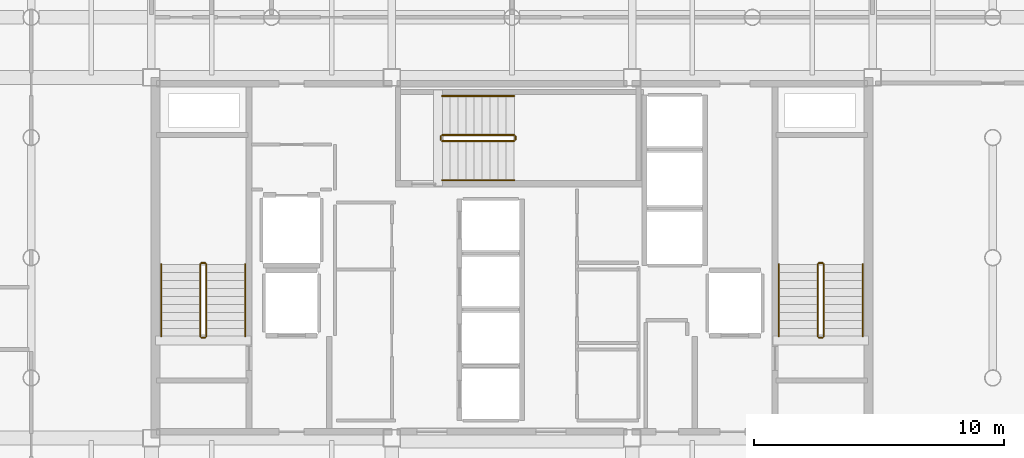
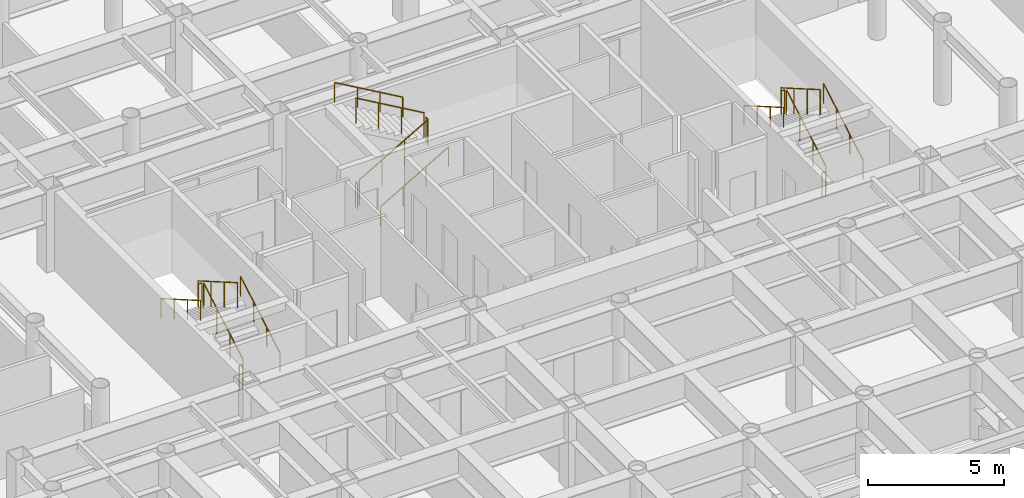
# One storey, part 24 of 24: 18 railings.
"""IFC4 building model written with IfcOpenShell, lengths in metres."""

import ifcopenshell
import ifcopenshell.guid

model = None  # the IFC model being written
_history = None  # IfcOwnerHistory: only IFC2X3 demands one
_inside = {}  # id of a spatial element -> (the spatial element, [elements in it])
_under = {}  # id of a project, library or spatial element -> (it, [spatial elements below it])
_declared = {}  # id of a project -> (the project, [libraries it declares])
_typed = {}  # id of a type object -> (the type object, [elements of that type])
_made_of = {}  # id of a material, layer set ... -> (it, [elements and type objects made of it])


def new_model(schema):
    """Start an empty IFC model of exactly this schema.

    Asked for "IFC4X3", IfcOpenShell would pick the latest addendum, in which some entities
    have other attributes; the version numbers below select the first issue.
    IFC2X3 requires an IfcOwnerHistory on every rooted entity: one is made here for all.
    """
    global model, _history
    if schema == "IFC4X3":
        model = ifcopenshell.file(schema_version=(4, 3, 0, 0))
    else:
        model = ifcopenshell.file(schema=schema)
    _inside.clear()
    _under.clear()
    _declared.clear()
    _typed.clear()
    _made_of.clear()
    _history = None
    if model.schema == "IFC2X3":
        org = make("IfcOrganization", Name="unknown")
        user = make(
            "IfcPersonAndOrganization",
            ThePerson=make("IfcPerson", FamilyName="unknown"),
            TheOrganization=org,
        )
        app = make(
            "IfcApplication",
            ApplicationDeveloper=org,
            Version="unknown",
            ApplicationFullName="unknown",
            ApplicationIdentifier="unknown",
        )
        _history = make(
            "IfcOwnerHistory",
            OwningUser=user,
            OwningApplication=app,
            ChangeAction="ADDED",
            CreationDate=0,
        )
    return model


def make(cls, **values):
    """One entity of the class cls with the attributes given. An attribute that is None is left unset."""
    return model.create_entity(
        cls, **{name: value for name, value in values.items() if value is not None}
    )


def rooted(cls, **values):
    """An entity with a GlobalId (a new one), such as an element, a storey or a relation."""
    return make(cls, GlobalId=ifcopenshell.guid.new(), OwnerHistory=_history, **values)


def si_unit(unit_type, name, prefix=None):
    """IfcSIUnit, for example si_unit("LENGTHUNIT", "METRE", prefix="MILLI")."""
    return make("IfcSIUnit", UnitType=unit_type, Prefix=prefix, Name=name)


def assignment(units):
    """IfcUnitAssignment: the units of a project."""
    return None if units is None else make("IfcUnitAssignment", Units=units)


def point(xyz):
    """IfcCartesianPoint."""
    return None if xyz is None else make("IfcCartesianPoint", Coordinates=xyz)


def direction(xyz):
    """IfcDirection."""
    return None if xyz is None else make("IfcDirection", DirectionRatios=xyz)


def frame(location, z_axis=None, x_axis=None):
    """IfcAxis2Placement3D, a coordinate frame: its origin and axes. An axis left out is left unset."""
    return make(
        "IfcAxis2Placement3D",
        Location=point(location),
        Axis=direction(z_axis),
        RefDirection=direction(x_axis),
    )


def frame_2d(location, x_axis=None):
    """IfcAxis2Placement2D, a coordinate frame in the plane: its origin and x axis."""
    return make(
        "IfcAxis2Placement2D", Location=point(location), RefDirection=direction(x_axis)
    )


def origin():
    """The frame at (0, 0, 0) with its axes left unset."""
    return frame((0.0, 0.0, 0.0))


def origin_2d():
    """The frame at (0, 0) in the plane with its x axis left unset."""
    return frame_2d((0.0, 0.0))


def place(relative_to, where):
    """IfcLocalPlacement: puts the frame where relative to a parent placement (None: the world)."""
    return make(
        "IfcLocalPlacement", PlacementRelTo=relative_to, RelativePlacement=where
    )


def context(
    kind, dimensions, precision=None, world=None, true_north=None, identifier=None
):
    """IfcGeometricRepresentationContext, for example the 3D "Model" context."""
    return make(
        "IfcGeometricRepresentationContext",
        ContextIdentifier=identifier,
        ContextType=kind,
        CoordinateSpaceDimension=dimensions,
        Precision=precision,
        WorldCoordinateSystem=world,
        TrueNorth=true_north,
    )


def subcontext(parent, identifier, kind, view, scale=None):
    """IfcGeometricRepresentationSubContext, for example "Body" below "Model"."""
    return make(
        "IfcGeometricRepresentationSubContext",
        ContextIdentifier=identifier,
        ContextType=kind,
        ParentContext=parent,
        TargetScale=scale,
        TargetView=view,
    )


def project(units=None, contexts=None):
    """IfcProject with its units and contexts."""
    return rooted(
        "IfcProject",
        Name="project",
        RepresentationContexts=contexts,
        UnitsInContext=assignment(units),
    )


def spatial(cls, under=None, at=None, **own):
    """A site, building, storey or space (cls), placed at a placement, below another one or the project."""
    s = rooted(cls, ObjectPlacement=at, **own)
    if under is not None:
        _under.setdefault(under.id(), (under, []))[1].append(s)
    return s


def profile(cls, at=None, kind="AREA", **sizes):
    """A parametric profile (cls). Its sizes go by their IFC names, for example OverallWidth=200.0."""
    return make(cls, ProfileType=kind, Position=at, **sizes)


def circle(**sizes):
    """IfcCircleProfileDef."""
    return profile("IfcCircleProfileDef", **sizes)


def extrude(swept, where, along, depth):
    """IfcExtrudedAreaSolid: the profile swept, set in the frame where, extruded along a direction by depth."""
    return make(
        "IfcExtrudedAreaSolid",
        SweptArea=swept,
        Position=where,
        ExtrudedDirection=direction(along),
        Depth=depth,
    )


def shape(context_of_items, identifier, shape_type, items):
    """IfcShapeRepresentation: the items that make up one representation, for example the "Body"."""
    return make(
        "IfcShapeRepresentation",
        ContextOfItems=context_of_items,
        RepresentationIdentifier=identifier,
        RepresentationType=shape_type,
        Items=items,
    )


def material(Name=None, Category=None):
    """IfcMaterial."""
    return make("IfcMaterial", Name=Name, Category=Category)


def layer(
    of_material, thickness, ventilated=None, Name=None, Category=None, Priority=None
):
    """IfcMaterialLayer: one layer of a wall or slab, of a material (None: an air gap)."""
    return make(
        "IfcMaterialLayer",
        Material=of_material,
        LayerThickness=thickness,
        IsVentilated=ventilated,
        Name=Name,
        Category=Category,
        Priority=Priority,
    )


def layer_set(layers, Name=None):
    """IfcMaterialLayerSet."""
    return make("IfcMaterialLayerSet", MaterialLayers=layers, LayerSetName=Name)


def made_of(thing, what):
    """Note that an element or type object is made of a material, layer set ...; save() writes the relation."""
    if what is not None:
        _made_of.setdefault(what.id(), (what, []))[1].append(thing)
    return thing


def type_object(cls, material=None, **own):
    """A type object (cls), such as IfcWallType, which elements share."""
    return made_of(rooted(cls, **own), material)


def element(
    cls,
    number,
    at=None,
    inside=None,
    cuts=None,
    type_object=None,
    material=None,
    context=None,
    identifier="Body",
    shape_type=None,
    held_by="IfcProductDefinitionShape",
    body=None,
    shapes=None,
    **own,
):
    """One element of the class cls, such as IfcWall. Its Tag is "e" and its number.

    at: its placement. inside: the storey or other place that contains it. cuts: it is an
    opening in that element (IfcRelVoidsElement). A single representation is given by context,
    identifier, shape_type and body (its items); several are given by shapes. held_by: the class
    of the entity that holds the representations. save() writes the other relations.
    """
    e = rooted(cls, Tag="e%d" % number, ObjectPlacement=at, **own)
    if body is not None:
        shapes = [shape(context, identifier, shape_type, body)]
    if shapes is not None:
        e.Representation = make(held_by, Representations=shapes)
    if inside is not None:
        _inside.setdefault(inside.id(), (inside, []))[1].append(e)
    if cuts is not None:
        rooted(
            "IfcRelVoidsElement", RelatingBuildingElement=cuts, RelatedOpeningElement=e
        )
    if type_object is not None:
        _typed.setdefault(type_object.id(), (type_object, []))[1].append(e)
    return made_of(e, material)


def aggregate(whole, parts):
    """IfcRelAggregates: a whole, such as a stair, and the parts it consists of."""
    return rooted("IfcRelAggregates", RelatingObject=whole, RelatedObjects=parts)


def save(model, path):
    """Write the relations noted so far, then the file.

    IfcRelAggregates (storeys below a building ...), IfcRelContainedInSpatialStructure (elements
    in a storey), IfcRelDefinesByType, IfcRelAssociatesMaterial and IfcRelDeclares: one each for
    every whole, place, type object, material and project.
    """
    for whole, parts in _under.values():
        aggregate(whole, parts)
    for where, things in _inside.values():
        rooted(
            "IfcRelContainedInSpatialStructure",
            RelatedElements=things,
            RelatingStructure=where,
        )
    for kind, things in _typed.values():
        rooted("IfcRelDefinesByType", RelatedObjects=things, RelatingType=kind)
    for what, things in _made_of.values():
        rooted("IfcRelAssociatesMaterial", RelatedObjects=things, RelatingMaterial=what)
    for by, libraries in _declared.values():
        rooted("IfcRelDeclares", RelatingContext=by, RelatedDefinitions=libraries)
    model.write(path)


model = new_model("IFC4")

# Units and contexts
model_context = context("Model", 3, precision=1e-05, world=origin(), true_north=direction((0.0, 1.0)))
body_context = subcontext(model_context, "Body", "Model", "MODEL_VIEW")
ifc_project = project(units=[si_unit("LENGTHUNIT", "METRE"), si_unit("AREAUNIT", "SQUARE_METRE"), si_unit("VOLUMEUNIT", "CUBIC_METRE"), si_unit("PLANEANGLEUNIT", "RADIAN"), si_unit("MASSUNIT", "GRAM", prefix="KILO")], contexts=[model_context])

# Site, building, storey
site_placement = place(None, origin())
site = spatial("IfcSite", under=ifc_project, at=site_placement, CompositionType="ELEMENT")
building_placement = place(site_placement, origin())
building = spatial("IfcBuilding", under=site, at=building_placement, Name="Kallvorn Hotel Tower", CompositionType="ELEMENT")
storey_placement = place(building_placement, frame((0.0, 0.0, 150.699951171875)))
storey = spatial("IfcBuildingStorey", under=building, at=storey_placement, Name="L37", CompositionType="ELEMENT", Elevation=150.699951171875)

# Railings
ifc_material_1 = material(Name="Brushed stainless-steel tubular railing", Category="steel")
ifc_layer_1 = layer(ifc_material_1, 0.050048828125)
ifc_layer_set_1 = layer_set([ifc_layer_1], Name="RL_STAIR_GUARD")
railing_type_1 = type_object("IfcRailingType", Name="RL_STAIR_GUARD", PredefinedType="GUARDRAIL", material=ifc_layer_set_1)
railing_1_placement = place(storey_placement, frame((-12.2099609375, -3.139892578125, 0.18505859375)))
element("IfcRailing", 1, at=railing_1_placement, inside=storey, type_object=railing_type_1, Name="L37 ST1 stair guard 1", PredefinedType="GUARDRAIL", context=body_context, shape_type="SweptSolid", body=[
    extrude(circle(Radius=0.02392578125, at=origin_2d()), frame((0.0, 0.0, 1.1259765625), z_axis=(0.0, 0.865720918037, 0.500527014328), x_axis=(-1.0, 0.0, 0.0)), (0.0, 0.0, 1.0), 3.32666015625),
    extrude(circle(Radius=0.02099609375, at=origin_2d()), origin(), (0.0, 0.0, 1.0), 1.101806640625),
    extrude(circle(Radius=0.02099609375, at=origin_2d()), frame((0.0, 0.9599609375, 0.554931640625)), (0.0, 0.0, 1.0), 1.101806640625),
    extrude(circle(Radius=0.02099609375, at=origin_2d()), frame((0.0, 1.919921875, 1.110107421875)), (0.0, 0.0, 1.0), 1.101806640625),
    extrude(circle(Radius=0.02099609375, at=origin_2d()), frame((0.0, 2.8798828125, 1.6650390625)), (0.0, 0.0, 1.0), 1.101806640625),
])
railing_2_placement = place(storey_placement, frame((-12.260009765625, -0.2099609375, 1.85009765625)))
element("IfcRailing", 2, at=railing_2_placement, inside=storey, type_object=railing_type_1, Name="L37 ST1 stair guard 2", PredefinedType="GUARDRAIL", context=body_context, shape_type="SweptSolid", body=[
    extrude(circle(Radius=0.02392578125, at=origin_2d()), frame((0.0, 0.0, 1.1259765625), z_axis=(-1.0, 0.0, 0.0), x_axis=(0.0, -1.0, 0.0)), (0.0, 0.0, 1.0), 0.139892578125),
    extrude(circle(Radius=0.02099609375, at=origin_2d()), origin(), (0.0, 0.0, 1.0), 1.101806640625),
    extrude(circle(Radius=0.02099609375, at=origin_2d()), frame((-0.139892578125, 0.0, 0.0)), (0.0, 0.0, 1.0), 1.101806640625),
])
railing_3_placement = place(storey_placement, frame((-12.449951171875, -0.260009765625, 2.03515625)))
element("IfcRailing", 3, at=railing_3_placement, inside=storey, type_object=railing_type_1, Name="L37 ST1 stair guard 3", PredefinedType="GUARDRAIL", context=body_context, shape_type="SweptSolid", body=[
    extrude(circle(Radius=0.02392578125, at=origin_2d()), frame((0.0, 0.0, 1.1259765625), z_axis=(0.0, -0.86575271903, 0.500472006703), x_axis=(1.0, 0.0, 0.0)), (0.0, 0.0, 1.0), 3.326416015625),
    extrude(circle(Radius=0.02099609375, at=origin_2d()), origin(), (0.0, 0.0, 1.0), 1.101806640625),
    extrude(circle(Radius=0.02099609375, at=origin_2d()), frame((0.0, -0.9599609375, 0.554931640625)), (0.0, 0.0, 1.0), 1.101806640625),
    extrude(circle(Radius=0.02099609375, at=origin_2d()), frame((0.0, -1.919921875, 1.10986328125)), (0.0, 0.0, 1.0), 1.101806640625),
    extrude(circle(Radius=0.02099609375, at=origin_2d()), frame((0.0, -2.8798828125, 1.664794921875)), (0.0, 0.0, 1.0), 1.101806640625),
])
railing_4_placement = place(storey_placement, frame((-12.260009765625, -3.18994140625, 0.0)))
element("IfcRailing", 4, at=railing_4_placement, inside=storey, type_object=railing_type_1, Name="L37 ST1 stair guard 4", PredefinedType="GUARDRAIL", context=body_context, shape_type="SweptSolid", body=[
    extrude(circle(Radius=0.02392578125, at=origin_2d()), frame((0.0, 0.0, 1.1259765625), z_axis=(-1.0, 0.0, 0.0), x_axis=(0.0, -1.0, 0.0)), (0.0, 0.0, 1.0), 0.139892578125),
    extrude(circle(Radius=0.02099609375, at=origin_2d()), origin(), (0.0, 0.0, 1.0), 1.101806640625),
    extrude(circle(Radius=0.02099609375, at=origin_2d()), frame((-0.139892578125, 0.0, 0.0)), (0.0, 0.0, 1.0), 1.101806640625),
])
railing_5_placement = place(storey_placement, frame((12.449951171875, -3.139892578125, 0.18505859375)))
element("IfcRailing", 5, at=railing_5_placement, inside=storey, type_object=railing_type_1, Name="L37 ST2 stair guard 1", PredefinedType="GUARDRAIL", context=body_context, shape_type="SweptSolid", body=[
    extrude(circle(Radius=0.02392578125, at=origin_2d()), frame((0.0, 0.0, 1.1259765625), z_axis=(0.0, 0.865720918037, 0.500527014328), x_axis=(-1.0, 0.0, 0.0)), (0.0, 0.0, 1.0), 3.32666015625),
    extrude(circle(Radius=0.02099609375, at=origin_2d()), origin(), (0.0, 0.0, 1.0), 1.101806640625),
    extrude(circle(Radius=0.02099609375, at=origin_2d()), frame((0.0, 0.9599609375, 0.554931640625)), (0.0, 0.0, 1.0), 1.101806640625),
    extrude(circle(Radius=0.02099609375, at=origin_2d()), frame((0.0, 1.919921875, 1.110107421875)), (0.0, 0.0, 1.0), 1.101806640625),
    extrude(circle(Radius=0.02099609375, at=origin_2d()), frame((0.0, 2.8798828125, 1.6650390625)), (0.0, 0.0, 1.0), 1.101806640625),
])
railing_6_placement = place(storey_placement, frame((12.39990234375, -0.2099609375, 1.85009765625)))
element("IfcRailing", 6, at=railing_6_placement, inside=storey, type_object=railing_type_1, Name="L37 ST2 stair guard 2", PredefinedType="GUARDRAIL", context=body_context, shape_type="SweptSolid", body=[
    extrude(circle(Radius=0.02392578125, at=origin_2d()), frame((0.0, 0.0, 1.1259765625), z_axis=(-1.0, 0.0, 0.0), x_axis=(0.0, -1.0, 0.0)), (0.0, 0.0, 1.0), 0.139892578125),
    extrude(circle(Radius=0.02099609375, at=origin_2d()), origin(), (0.0, 0.0, 1.0), 1.101806640625),
    extrude(circle(Radius=0.02099609375, at=origin_2d()), frame((-0.139892578125, 0.0, 0.0)), (0.0, 0.0, 1.0), 1.101806640625),
])
railing_7_placement = place(storey_placement, frame((12.2099609375, -0.260009765625, 2.03515625)))
element("IfcRailing", 7, at=railing_7_placement, inside=storey, type_object=railing_type_1, Name="L37 ST2 stair guard 3", PredefinedType="GUARDRAIL", context=body_context, shape_type="SweptSolid", body=[
    extrude(circle(Radius=0.02392578125, at=origin_2d()), frame((0.0, 0.0, 1.1259765625), z_axis=(0.0, -0.86575271903, 0.500472006703), x_axis=(1.0, 0.0, 0.0)), (0.0, 0.0, 1.0), 3.326416015625),
    extrude(circle(Radius=0.02099609375, at=origin_2d()), origin(), (0.0, 0.0, 1.0), 1.101806640625),
    extrude(circle(Radius=0.02099609375, at=origin_2d()), frame((0.0, -0.9599609375, 0.554931640625)), (0.0, 0.0, 1.0), 1.101806640625),
    extrude(circle(Radius=0.02099609375, at=origin_2d()), frame((0.0, -1.919921875, 1.10986328125)), (0.0, 0.0, 1.0), 1.101806640625),
    extrude(circle(Radius=0.02099609375, at=origin_2d()), frame((0.0, -2.8798828125, 1.664794921875)), (0.0, 0.0, 1.0), 1.101806640625),
])
railing_8_placement = place(storey_placement, frame((12.39990234375, -3.18994140625, 0.0)))
element("IfcRailing", 8, at=railing_8_placement, inside=storey, type_object=railing_type_1, Name="L37 ST2 stair guard 4", PredefinedType="GUARDRAIL", context=body_context, shape_type="SweptSolid", body=[
    extrude(circle(Radius=0.02392578125, at=origin_2d()), frame((0.0, 0.0, 1.1259765625), z_axis=(-1.0, 0.0, 0.0), x_axis=(0.0, -1.0, 0.0)), (0.0, 0.0, 1.0), 0.139892578125),
    extrude(circle(Radius=0.02099609375, at=origin_2d()), origin(), (0.0, 0.0, 1.0), 1.101806640625),
    extrude(circle(Radius=0.02099609375, at=origin_2d()), frame((-0.139892578125, 0.0, 0.0)), (0.0, 0.0, 1.0), 1.101806640625),
])
railing_9_placement = place(storey_placement, frame((-2.7900390625, 4.659912109375, 0.18505859375)))
element("IfcRailing", 9, at=railing_9_placement, inside=storey, type_object=railing_type_1, Name="L37 ST3 stair guard 1", PredefinedType="GUARDRAIL", context=body_context, shape_type="SweptSolid", body=[
    extrude(circle(Radius=0.02392578125, at=origin_2d()), frame((0.0, 0.0, 1.1259765625), z_axis=(0.865739302748, 0.0, 0.50049521444), x_axis=(0.0, 1.0, 0.0)), (0.0, 0.0, 1.0), 3.326904296875),
    extrude(circle(Radius=0.02099609375, at=origin_2d()), origin(), (0.0, 0.0, 1.0), 1.101806640625),
    extrude(circle(Radius=0.02099609375, at=origin_2d()), frame((0.9599609375, 0.0, 0.554931640625)), (0.0, 0.0, 1.0), 1.101806640625),
    extrude(circle(Radius=0.02099609375, at=origin_2d()), frame((1.920166015625, 0.0, 1.110107421875)), (0.0, 0.0, 1.0), 1.101806640625),
    extrude(circle(Radius=0.02099609375, at=origin_2d()), frame((2.880126953125, 0.0, 1.6650390625)), (0.0, 0.0, 1.0), 1.101806640625),
])
railing_10_placement = place(storey_placement, frame((0.139892578125, 4.7099609375, 1.85009765625)))
element("IfcRailing", 10, at=railing_10_placement, inside=storey, type_object=railing_type_1, Name="L37 ST3 stair guard 2", PredefinedType="GUARDRAIL", context=body_context, shape_type="SweptSolid", body=[
    extrude(circle(Radius=0.02392578125, at=origin_2d()), frame((0.0, 0.0, 1.1259765625), z_axis=(0.0, 1.0, 0.0), x_axis=(-1.0, 0.0, 0.0)), (0.0, 0.0, 1.0), 0.14013671875),
    extrude(circle(Radius=0.02099609375, at=origin_2d()), origin(), (0.0, 0.0, 1.0), 1.101806640625),
    extrude(circle(Radius=0.02099609375, at=origin_2d()), frame((0.0, 0.14013671875, 0.0)), (0.0, 0.0, 1.0), 1.101806640625),
])
railing_11_placement = place(storey_placement, frame((0.090087890625, 4.89990234375, 2.03515625)))
element("IfcRailing", 11, at=railing_11_placement, inside=storey, type_object=railing_type_1, Name="L37 ST3 stair guard 3", PredefinedType="GUARDRAIL", context=body_context, shape_type="SweptSolid", body=[
    extrude(circle(Radius=0.02392578125, at=origin_2d()), frame((0.0, 0.0, 1.1259765625), z_axis=(-0.865771100375, 0.0, 0.500440207973), x_axis=(0.0, -1.0, 0.0)), (0.0, 0.0, 1.0), 3.32666015625),
    extrude(circle(Radius=0.02099609375, at=origin_2d()), origin(), (0.0, 0.0, 1.0), 1.101806640625),
    extrude(circle(Radius=0.02099609375, at=origin_2d()), frame((-0.9599609375, 0.0, 0.554931640625)), (0.0, 0.0, 1.0), 1.101806640625),
    extrude(circle(Radius=0.02099609375, at=origin_2d()), frame((-1.920166015625, 0.0, 1.10986328125)), (0.0, 0.0, 1.0), 1.101806640625),
    extrude(circle(Radius=0.02099609375, at=origin_2d()), frame((-2.880126953125, 0.0, 1.664794921875)), (0.0, 0.0, 1.0), 1.101806640625),
])
railing_12_placement = place(storey_placement, frame((-2.840087890625, 4.7099609375, 0.0)))
element("IfcRailing", 12, at=railing_12_placement, inside=storey, type_object=railing_type_1, Name="L37 ST3 stair guard 4", PredefinedType="GUARDRAIL", context=body_context, shape_type="SweptSolid", body=[
    extrude(circle(Radius=0.02392578125, at=origin_2d()), frame((0.0, 0.0, 1.1259765625), z_axis=(0.0, 1.0, 0.0), x_axis=(-1.0, 0.0, 0.0)), (0.0, 0.0, 1.0), 0.14013671875),
    extrude(circle(Radius=0.02099609375, at=origin_2d()), origin(), (0.0, 0.0, 1.0), 1.101806640625),
    extrude(circle(Radius=0.02099609375, at=origin_2d()), frame((0.0, 0.14013671875, 0.0)), (0.0, 0.0, 1.0), 1.101806640625),
])
ifc_material_2 = material(Name="Brushed stainless-steel tubular railing", Category="steel")
ifc_layer_2 = layer(ifc_material_2, 0.050048828125)
ifc_layer_set_2 = layer_set([ifc_layer_2], Name="RL_STAIR_HAND")
railing_type_2 = type_object("IfcRailingType", Name="RL_STAIR_HAND", PredefinedType="HANDRAIL", material=ifc_layer_set_2)
railing_13_placement = place(storey_placement, frame((-10.64990234375, -3.139892578125, 0.18505859375)))
element("IfcRailing", 13, at=railing_13_placement, inside=storey, type_object=railing_type_2, Name="L37 ST1 stair handrail 1", PredefinedType="HANDRAIL", context=body_context, shape_type="SweptSolid", body=[
    extrude(circle(Radius=0.02392578125, at=origin_2d()), frame((0.0, 0.0, 0.8759765625), z_axis=(0.0, 0.865720918037, 0.500527014328), x_axis=(-1.0, 0.0, 0.0)), (0.0, 0.0, 1.0), 3.32666015625),
    extrude(circle(Radius=0.02099609375, at=origin_2d()), origin(), (0.0, 0.0, 1.0), 0.851806640625),
    extrude(circle(Radius=0.02099609375, at=origin_2d()), frame((0.0, 0.9599609375, 0.554931640625)), (0.0, 0.0, 1.0), 0.851806640625),
    extrude(circle(Radius=0.02099609375, at=origin_2d()), frame((0.0, 1.919921875, 1.110107421875)), (0.0, 0.0, 1.0), 0.851806640625),
    extrude(circle(Radius=0.02099609375, at=origin_2d()), frame((0.0, 2.8798828125, 1.6650390625)), (0.0, 0.0, 1.0), 0.851806640625),
])
railing_14_placement = place(storey_placement, frame((-14.010009765625, -0.260009765625, 2.03515625)))
element("IfcRailing", 14, at=railing_14_placement, inside=storey, type_object=railing_type_2, Name="L37 ST1 stair handrail 2", PredefinedType="HANDRAIL", context=body_context, shape_type="SweptSolid", body=[
    extrude(circle(Radius=0.02392578125, at=origin_2d()), frame((0.0, 0.0, 0.8759765625), z_axis=(0.0, -0.86575271903, 0.500472006703), x_axis=(1.0, 0.0, 0.0)), (0.0, 0.0, 1.0), 3.326416015625),
    extrude(circle(Radius=0.02099609375, at=origin_2d()), origin(), (0.0, 0.0, 1.0), 0.851806640625),
    extrude(circle(Radius=0.02099609375, at=origin_2d()), frame((0.0, -0.9599609375, 0.554931640625)), (0.0, 0.0, 1.0), 0.851806640625),
    extrude(circle(Radius=0.02099609375, at=origin_2d()), frame((0.0, -1.919921875, 1.10986328125)), (0.0, 0.0, 1.0), 0.851806640625),
    extrude(circle(Radius=0.02099609375, at=origin_2d()), frame((0.0, -2.8798828125, 1.664794921875)), (0.0, 0.0, 1.0), 0.851806640625),
])
railing_15_placement = place(storey_placement, frame((14.010009765625, -3.139892578125, 0.18505859375)))
element("IfcRailing", 15, at=railing_15_placement, inside=storey, type_object=railing_type_2, Name="L37 ST2 stair handrail 1", PredefinedType="HANDRAIL", context=body_context, shape_type="SweptSolid", body=[
    extrude(circle(Radius=0.02392578125, at=origin_2d()), frame((0.0, 0.0, 0.8759765625), z_axis=(0.0, 0.865720918037, 0.500527014328), x_axis=(-1.0, 0.0, 0.0)), (0.0, 0.0, 1.0), 3.32666015625),
    extrude(circle(Radius=0.02099609375, at=origin_2d()), origin(), (0.0, 0.0, 1.0), 0.851806640625),
    extrude(circle(Radius=0.02099609375, at=origin_2d()), frame((0.0, 0.9599609375, 0.554931640625)), (0.0, 0.0, 1.0), 0.851806640625),
    extrude(circle(Radius=0.02099609375, at=origin_2d()), frame((0.0, 1.919921875, 1.110107421875)), (0.0, 0.0, 1.0), 0.851806640625),
    extrude(circle(Radius=0.02099609375, at=origin_2d()), frame((0.0, 2.8798828125, 1.6650390625)), (0.0, 0.0, 1.0), 0.851806640625),
])
railing_16_placement = place(storey_placement, frame((10.64990234375, -0.260009765625, 2.03515625)))
element("IfcRailing", 16, at=railing_16_placement, inside=storey, type_object=railing_type_2, Name="L37 ST2 stair handrail 2", PredefinedType="HANDRAIL", context=body_context, shape_type="SweptSolid", body=[
    extrude(circle(Radius=0.02392578125, at=origin_2d()), frame((0.0, 0.0, 0.8759765625), z_axis=(0.0, -0.86575271903, 0.500472006703), x_axis=(1.0, 0.0, 0.0)), (0.0, 0.0, 1.0), 3.326416015625),
    extrude(circle(Radius=0.02099609375, at=origin_2d()), origin(), (0.0, 0.0, 1.0), 0.851806640625),
    extrude(circle(Radius=0.02099609375, at=origin_2d()), frame((0.0, -0.9599609375, 0.554931640625)), (0.0, 0.0, 1.0), 0.851806640625),
    extrude(circle(Radius=0.02099609375, at=origin_2d()), frame((0.0, -1.919921875, 1.10986328125)), (0.0, 0.0, 1.0), 0.851806640625),
    extrude(circle(Radius=0.02099609375, at=origin_2d()), frame((0.0, -2.8798828125, 1.664794921875)), (0.0, 0.0, 1.0), 0.851806640625),
])
railing_17_placement = place(storey_placement, frame((-2.7900390625, 3.10009765625, 0.18505859375)))
element("IfcRailing", 17, at=railing_17_placement, inside=storey, type_object=railing_type_2, Name="L37 ST3 stair handrail 1", PredefinedType="HANDRAIL", context=body_context, shape_type="SweptSolid", body=[
    extrude(circle(Radius=0.02392578125, at=origin_2d()), frame((0.0, 0.0, 0.8759765625), z_axis=(0.865739302748, 0.0, 0.50049521444), x_axis=(0.0, 1.0, 0.0)), (0.0, 0.0, 1.0), 3.326904296875),
    extrude(circle(Radius=0.02099609375, at=origin_2d()), origin(), (0.0, 0.0, 1.0), 0.851806640625),
    extrude(circle(Radius=0.02099609375, at=origin_2d()), frame((0.9599609375, 0.0, 0.554931640625)), (0.0, 0.0, 1.0), 0.851806640625),
    extrude(circle(Radius=0.02099609375, at=origin_2d()), frame((1.920166015625, 0.0, 1.110107421875)), (0.0, 0.0, 1.0), 0.851806640625),
    extrude(circle(Radius=0.02099609375, at=origin_2d()), frame((2.880126953125, 0.0, 1.6650390625)), (0.0, 0.0, 1.0), 0.851806640625),
])
railing_18_placement = place(storey_placement, frame((0.090087890625, 6.4599609375, 2.03515625)))
element("IfcRailing", 18, at=railing_18_placement, inside=storey, type_object=railing_type_2, Name="L37 ST3 stair handrail 2", PredefinedType="HANDRAIL", context=body_context, shape_type="SweptSolid", body=[
    extrude(circle(Radius=0.02392578125, at=origin_2d()), frame((0.0, 0.0, 0.8759765625), z_axis=(-0.865771100375, 0.0, 0.500440207973), x_axis=(0.0, -1.0, 0.0)), (0.0, 0.0, 1.0), 3.32666015625),
    extrude(circle(Radius=0.02099609375, at=origin_2d()), origin(), (0.0, 0.0, 1.0), 0.851806640625),
    extrude(circle(Radius=0.02099609375, at=origin_2d()), frame((-0.9599609375, 0.0, 0.554931640625)), (0.0, 0.0, 1.0), 0.851806640625),
    extrude(circle(Radius=0.02099609375, at=origin_2d()), frame((-1.920166015625, 0.0, 1.10986328125)), (0.0, 0.0, 1.0), 0.851806640625),
    extrude(circle(Radius=0.02099609375, at=origin_2d()), frame((-2.880126953125, 0.0, 1.664794921875)), (0.0, 0.0, 1.0), 0.851806640625),
])

save(model, "model.ifc")
